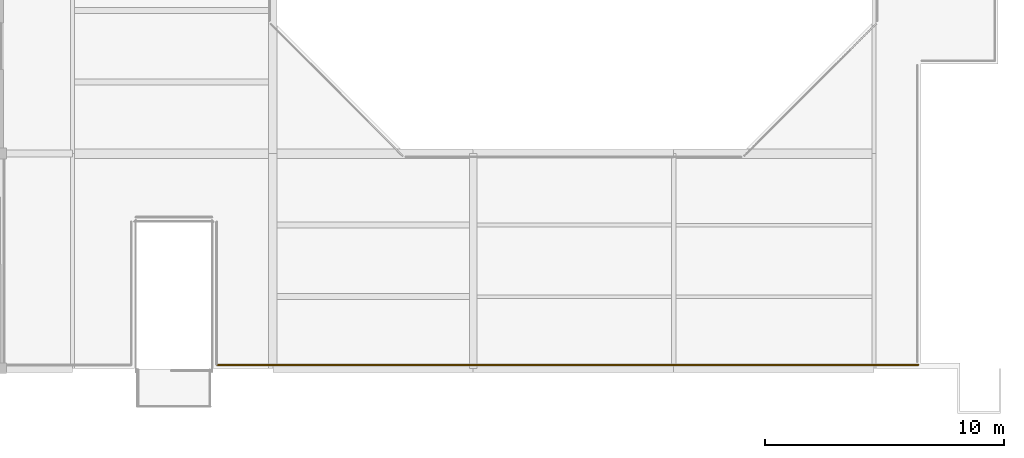
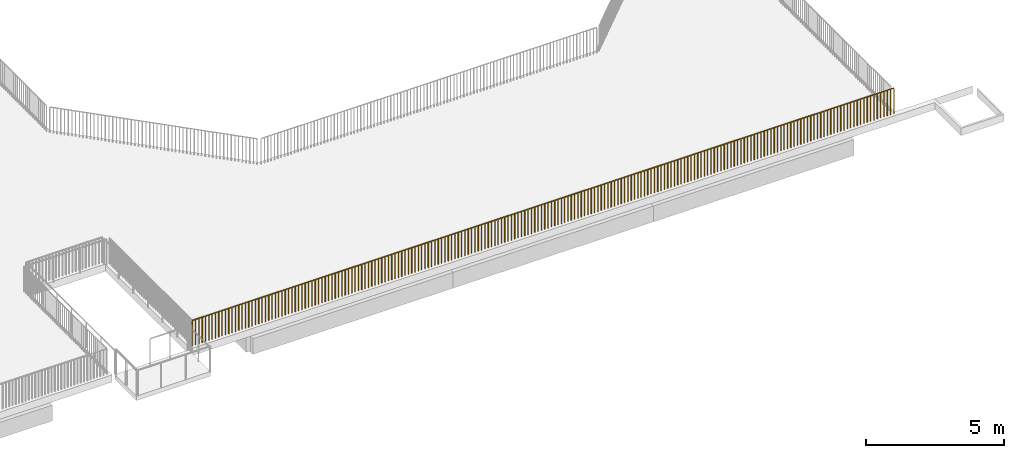
# One storey, part 31 of 42: 1 railing.
"""IFC4 building model written with IfcOpenShell, lengths in metres."""

from ifc_helpers import new_model, si_unit, direction, frame, origin, origin_2d, place, context, subcontext, project, spatial, circle, extrude, material, type_object, element, save


model = new_model("IFC4")

# Units and contexts
model_context = context("Model", 3, precision=1e-05, world=origin(), true_north=direction((0.0, 1.0)))
body_context = subcontext(model_context, "Body", "Model", "MODEL_VIEW")
ifc_project = project(units=[si_unit("LENGTHUNIT", "METRE"), si_unit("AREAUNIT", "SQUARE_METRE"), si_unit("VOLUMEUNIT", "CUBIC_METRE"), si_unit("PLANEANGLEUNIT", "RADIAN"), si_unit("MASSUNIT", "GRAM", prefix="KILO")], contexts=[model_context])

# Site, building, storey
site_placement = place(None, origin())
site = spatial("IfcSite", under=ifc_project, at=site_placement, CompositionType="ELEMENT")
building_placement = place(site_placement, origin())
building = spatial("IfcBuilding", under=site, at=building_placement, Name="Vanh Quang Courtyard School", CompositionType="ELEMENT")
storey_placement = place(building_placement, frame((0.0, 0.0, 15.0)))
storey = spatial("IfcBuildingStorey", under=building, at=storey_placement, Name="L04", CompositionType="ELEMENT", Elevation=15.0)

# Railing
ifc_material = material(Name="Galvanised painted steel EN 10025-2 S355J2", Category="steel")
railing_type = type_object("IfcRailingType", Name="RAIL-GUARD-1150", PredefinedType="BALUSTRADE", material=ifc_material)
railing_placement = place(storey_placement, frame((112.861572265625, 32.5400390625, 0.0)))
element("IfcRailing", 1, at=railing_placement, inside=storey, type_object=railing_type, Name="Railing GR-01 (L04)", PredefinedType="BALUSTRADE", context=body_context, shape_type="SweptSolid", body=[
    extrude(circle(Radius=0.02392578125, at=origin_2d()), frame((0.0, 0.0, 1.1259765625), z_axis=(-1.0, 0.0, 0.0), x_axis=(0.0, -1.0, 0.0)), (0.0, 0.0, 1.0), 29.421630859375),
    extrude(circle(Radius=0.02099609375, at=origin_2d()), origin(), (0.0, 0.0, 1.0), 1.101806640625),
    extrude(circle(Radius=0.02099609375, at=origin_2d()), frame((-0.139404296875, 0.0, 0.0)), (0.0, 0.0, 1.0), 1.101806640625),
    extrude(circle(Radius=0.02099609375, at=origin_2d()), frame((-0.27880859375, 0.0, 0.0)), (0.0, 0.0, 1.0), 1.101806640625),
    extrude(circle(Radius=0.02099609375, at=origin_2d()), frame((-0.418212890625, 0.0, 0.0)), (0.0, 0.0, 1.0), 1.101806640625),
    extrude(circle(Radius=0.02099609375, at=origin_2d()), frame((-0.557861328125, 0.0, 0.0)), (0.0, 0.0, 1.0), 1.101806640625),
    extrude(circle(Radius=0.02099609375, at=origin_2d()), frame((-0.697265625, 0.0, 0.0)), (0.0, 0.0, 1.0), 1.101806640625),
    extrude(circle(Radius=0.02099609375, at=origin_2d()), frame((-0.836669921875, 0.0, 0.0)), (0.0, 0.0, 1.0), 1.101806640625),
    extrude(circle(Radius=0.02099609375, at=origin_2d()), frame((-0.97607421875, 0.0, 0.0)), (0.0, 0.0, 1.0), 1.101806640625),
    extrude(circle(Radius=0.02099609375, at=origin_2d()), frame((-1.115478515625, 0.0, 0.0)), (0.0, 0.0, 1.0), 1.101806640625),
    extrude(circle(Radius=0.02099609375, at=origin_2d()), frame((-1.2548828125, 0.0, 0.0)), (0.0, 0.0, 1.0), 1.101806640625),
    extrude(circle(Radius=0.02099609375, at=origin_2d()), frame((-1.394287109375, 0.0, 0.0)), (0.0, 0.0, 1.0), 1.101806640625),
    extrude(circle(Radius=0.02099609375, at=origin_2d()), frame((-1.533935546875, 0.0, 0.0)), (0.0, 0.0, 1.0), 1.101806640625),
    extrude(circle(Radius=0.02099609375, at=origin_2d()), frame((-1.67333984375, 0.0, 0.0)), (0.0, 0.0, 1.0), 1.101806640625),
    extrude(circle(Radius=0.02099609375, at=origin_2d()), frame((-1.812744140625, 0.0, 0.0)), (0.0, 0.0, 1.0), 1.101806640625),
    extrude(circle(Radius=0.02099609375, at=origin_2d()), frame((-1.9521484375, 0.0, 0.0)), (0.0, 0.0, 1.0), 1.101806640625),
    extrude(circle(Radius=0.02099609375, at=origin_2d()), frame((-2.091552734375, 0.0, 0.0)), (0.0, 0.0, 1.0), 1.101806640625),
    extrude(circle(Radius=0.02099609375, at=origin_2d()), frame((-2.23095703125, 0.0, 0.0)), (0.0, 0.0, 1.0), 1.101806640625),
    extrude(circle(Radius=0.02099609375, at=origin_2d()), frame((-2.370361328125, 0.0, 0.0)), (0.0, 0.0, 1.0), 1.101806640625),
    extrude(circle(Radius=0.02099609375, at=origin_2d()), frame((-2.510009765625, 0.0, 0.0)), (0.0, 0.0, 1.0), 1.101806640625),
    extrude(circle(Radius=0.02099609375, at=origin_2d()), frame((-2.6494140625, 0.0, 0.0)), (0.0, 0.0, 1.0), 1.101806640625),
    extrude(circle(Radius=0.02099609375, at=origin_2d()), frame((-2.788818359375, 0.0, 0.0)), (0.0, 0.0, 1.0), 1.101806640625),
    extrude(circle(Radius=0.02099609375, at=origin_2d()), frame((-2.92822265625, 0.0, 0.0)), (0.0, 0.0, 1.0), 1.101806640625),
    extrude(circle(Radius=0.02099609375, at=origin_2d()), frame((-3.067626953125, 0.0, 0.0)), (0.0, 0.0, 1.0), 1.101806640625),
    extrude(circle(Radius=0.02099609375, at=origin_2d()), frame((-3.20703125, 0.0, 0.0)), (0.0, 0.0, 1.0), 1.101806640625),
    extrude(circle(Radius=0.02099609375, at=origin_2d()), frame((-3.346435546875, 0.0, 0.0)), (0.0, 0.0, 1.0), 1.101806640625),
    extrude(circle(Radius=0.02099609375, at=origin_2d()), frame((-3.486083984375, 0.0, 0.0)), (0.0, 0.0, 1.0), 1.101806640625),
    extrude(circle(Radius=0.02099609375, at=origin_2d()), frame((-3.62548828125, 0.0, 0.0)), (0.0, 0.0, 1.0), 1.101806640625),
    extrude(circle(Radius=0.02099609375, at=origin_2d()), frame((-3.764892578125, 0.0, 0.0)), (0.0, 0.0, 1.0), 1.101806640625),
    extrude(circle(Radius=0.02099609375, at=origin_2d()), frame((-3.904296875, 0.0, 0.0)), (0.0, 0.0, 1.0), 1.101806640625),
    extrude(circle(Radius=0.02099609375, at=origin_2d()), frame((-4.043701171875, 0.0, 0.0)), (0.0, 0.0, 1.0), 1.101806640625),
    extrude(circle(Radius=0.02099609375, at=origin_2d()), frame((-4.18310546875, 0.0, 0.0)), (0.0, 0.0, 1.0), 1.101806640625),
    extrude(circle(Radius=0.02099609375, at=origin_2d()), frame((-4.322509765625, 0.0, 0.0)), (0.0, 0.0, 1.0), 1.101806640625),
    extrude(circle(Radius=0.02099609375, at=origin_2d()), frame((-4.462158203125, 0.0, 0.0)), (0.0, 0.0, 1.0), 1.101806640625),
    extrude(circle(Radius=0.02099609375, at=origin_2d()), frame((-4.6015625, 0.0, 0.0)), (0.0, 0.0, 1.0), 1.101806640625),
    extrude(circle(Radius=0.02099609375, at=origin_2d()), frame((-4.740966796875, 0.0, 0.0)), (0.0, 0.0, 1.0), 1.101806640625),
    extrude(circle(Radius=0.02099609375, at=origin_2d()), frame((-4.88037109375, 0.0, 0.0)), (0.0, 0.0, 1.0), 1.101806640625),
    extrude(circle(Radius=0.02099609375, at=origin_2d()), frame((-5.019775390625, 0.0, 0.0)), (0.0, 0.0, 1.0), 1.101806640625),
    extrude(circle(Radius=0.02099609375, at=origin_2d()), frame((-5.1591796875, 0.0, 0.0)), (0.0, 0.0, 1.0), 1.101806640625),
    extrude(circle(Radius=0.02099609375, at=origin_2d()), frame((-5.298583984375, 0.0, 0.0)), (0.0, 0.0, 1.0), 1.101806640625),
    extrude(circle(Radius=0.02099609375, at=origin_2d()), frame((-5.438232421875, 0.0, 0.0)), (0.0, 0.0, 1.0), 1.101806640625),
    extrude(circle(Radius=0.02099609375, at=origin_2d()), frame((-5.57763671875, 0.0, 0.0)), (0.0, 0.0, 1.0), 1.101806640625),
    extrude(circle(Radius=0.02099609375, at=origin_2d()), frame((-5.717041015625, 0.0, 0.0)), (0.0, 0.0, 1.0), 1.101806640625),
    extrude(circle(Radius=0.02099609375, at=origin_2d()), frame((-5.8564453125, 0.0, 0.0)), (0.0, 0.0, 1.0), 1.101806640625),
    extrude(circle(Radius=0.02099609375, at=origin_2d()), frame((-5.995849609375, 0.0, 0.0)), (0.0, 0.0, 1.0), 1.101806640625),
    extrude(circle(Radius=0.02099609375, at=origin_2d()), frame((-6.13525390625, 0.0, 0.0)), (0.0, 0.0, 1.0), 1.101806640625),
    extrude(circle(Radius=0.02099609375, at=origin_2d()), frame((-6.274658203125, 0.0, 0.0)), (0.0, 0.0, 1.0), 1.101806640625),
    extrude(circle(Radius=0.02099609375, at=origin_2d()), frame((-6.414306640625, 0.0, 0.0)), (0.0, 0.0, 1.0), 1.101806640625),
    extrude(circle(Radius=0.02099609375, at=origin_2d()), frame((-6.5537109375, 0.0, 0.0)), (0.0, 0.0, 1.0), 1.101806640625),
    extrude(circle(Radius=0.02099609375, at=origin_2d()), frame((-6.693115234375, 0.0, 0.0)), (0.0, 0.0, 1.0), 1.101806640625),
    extrude(circle(Radius=0.02099609375, at=origin_2d()), frame((-6.83251953125, 0.0, 0.0)), (0.0, 0.0, 1.0), 1.101806640625),
    extrude(circle(Radius=0.02099609375, at=origin_2d()), frame((-6.971923828125, 0.0, 0.0)), (0.0, 0.0, 1.0), 1.101806640625),
    extrude(circle(Radius=0.02099609375, at=origin_2d()), frame((-7.111328125, 0.0, 0.0)), (0.0, 0.0, 1.0), 1.101806640625),
    extrude(circle(Radius=0.02099609375, at=origin_2d()), frame((-7.250732421875, 0.0, 0.0)), (0.0, 0.0, 1.0), 1.101806640625),
    extrude(circle(Radius=0.02099609375, at=origin_2d()), frame((-7.390380859375, 0.0, 0.0)), (0.0, 0.0, 1.0), 1.101806640625),
    extrude(circle(Radius=0.02099609375, at=origin_2d()), frame((-7.52978515625, 0.0, 0.0)), (0.0, 0.0, 1.0), 1.101806640625),
    extrude(circle(Radius=0.02099609375, at=origin_2d()), frame((-7.669189453125, 0.0, 0.0)), (0.0, 0.0, 1.0), 1.101806640625),
    extrude(circle(Radius=0.02099609375, at=origin_2d()), frame((-7.80859375, 0.0, 0.0)), (0.0, 0.0, 1.0), 1.101806640625),
    extrude(circle(Radius=0.02099609375, at=origin_2d()), frame((-7.947998046875, 0.0, 0.0)), (0.0, 0.0, 1.0), 1.101806640625),
    extrude(circle(Radius=0.02099609375, at=origin_2d()), frame((-8.08740234375, 0.0, 0.0)), (0.0, 0.0, 1.0), 1.101806640625),
    extrude(circle(Radius=0.02099609375, at=origin_2d()), frame((-8.226806640625, 0.0, 0.0)), (0.0, 0.0, 1.0), 1.101806640625),
    extrude(circle(Radius=0.02099609375, at=origin_2d()), frame((-8.366455078125, 0.0, 0.0)), (0.0, 0.0, 1.0), 1.101806640625),
    extrude(circle(Radius=0.02099609375, at=origin_2d()), frame((-8.505859375, 0.0, 0.0)), (0.0, 0.0, 1.0), 1.101806640625),
    extrude(circle(Radius=0.02099609375, at=origin_2d()), frame((-8.645263671875, 0.0, 0.0)), (0.0, 0.0, 1.0), 1.101806640625),
    extrude(circle(Radius=0.02099609375, at=origin_2d()), frame((-8.78466796875, 0.0, 0.0)), (0.0, 0.0, 1.0), 1.101806640625),
    extrude(circle(Radius=0.02099609375, at=origin_2d()), frame((-8.924072265625, 0.0, 0.0)), (0.0, 0.0, 1.0), 1.101806640625),
    extrude(circle(Radius=0.02099609375, at=origin_2d()), frame((-9.0634765625, 0.0, 0.0)), (0.0, 0.0, 1.0), 1.101806640625),
    extrude(circle(Radius=0.02099609375, at=origin_2d()), frame((-9.202880859375, 0.0, 0.0)), (0.0, 0.0, 1.0), 1.101806640625),
    extrude(circle(Radius=0.02099609375, at=origin_2d()), frame((-9.342529296875, 0.0, 0.0)), (0.0, 0.0, 1.0), 1.101806640625),
    extrude(circle(Radius=0.02099609375, at=origin_2d()), frame((-9.48193359375, 0.0, 0.0)), (0.0, 0.0, 1.0), 1.101806640625),
    extrude(circle(Radius=0.02099609375, at=origin_2d()), frame((-9.621337890625, 0.0, 0.0)), (0.0, 0.0, 1.0), 1.101806640625),
    extrude(circle(Radius=0.02099609375, at=origin_2d()), frame((-9.7607421875, 0.0, 0.0)), (0.0, 0.0, 1.0), 1.101806640625),
    extrude(circle(Radius=0.02099609375, at=origin_2d()), frame((-9.900146484375, 0.0, 0.0)), (0.0, 0.0, 1.0), 1.101806640625),
    extrude(circle(Radius=0.02099609375, at=origin_2d()), frame((-10.03955078125, 0.0, 0.0)), (0.0, 0.0, 1.0), 1.101806640625),
    extrude(circle(Radius=0.02099609375, at=origin_2d()), frame((-10.178955078125, 0.0, 0.0)), (0.0, 0.0, 1.0), 1.101806640625),
    extrude(circle(Radius=0.02099609375, at=origin_2d()), frame((-10.318603515625, 0.0, 0.0)), (0.0, 0.0, 1.0), 1.101806640625),
    extrude(circle(Radius=0.02099609375, at=origin_2d()), frame((-10.4580078125, 0.0, 0.0)), (0.0, 0.0, 1.0), 1.101806640625),
    extrude(circle(Radius=0.02099609375, at=origin_2d()), frame((-10.597412109375, 0.0, 0.0)), (0.0, 0.0, 1.0), 1.101806640625),
    extrude(circle(Radius=0.02099609375, at=origin_2d()), frame((-10.73681640625, 0.0, 0.0)), (0.0, 0.0, 1.0), 1.101806640625),
    extrude(circle(Radius=0.02099609375, at=origin_2d()), frame((-10.876220703125, 0.0, 0.0)), (0.0, 0.0, 1.0), 1.101806640625),
    extrude(circle(Radius=0.02099609375, at=origin_2d()), frame((-11.015625, 0.0, 0.0)), (0.0, 0.0, 1.0), 1.101806640625),
    extrude(circle(Radius=0.02099609375, at=origin_2d()), frame((-11.155029296875, 0.0, 0.0)), (0.0, 0.0, 1.0), 1.101806640625),
    extrude(circle(Radius=0.02099609375, at=origin_2d()), frame((-11.294677734375, 0.0, 0.0)), (0.0, 0.0, 1.0), 1.101806640625),
    extrude(circle(Radius=0.02099609375, at=origin_2d()), frame((-11.43408203125, 0.0, 0.0)), (0.0, 0.0, 1.0), 1.101806640625),
    extrude(circle(Radius=0.02099609375, at=origin_2d()), frame((-11.573486328125, 0.0, 0.0)), (0.0, 0.0, 1.0), 1.101806640625),
    extrude(circle(Radius=0.02099609375, at=origin_2d()), frame((-11.712890625, 0.0, 0.0)), (0.0, 0.0, 1.0), 1.101806640625),
    extrude(circle(Radius=0.02099609375, at=origin_2d()), frame((-11.852294921875, 0.0, 0.0)), (0.0, 0.0, 1.0), 1.101806640625),
    extrude(circle(Radius=0.02099609375, at=origin_2d()), frame((-11.99169921875, 0.0, 0.0)), (0.0, 0.0, 1.0), 1.101806640625),
    extrude(circle(Radius=0.02099609375, at=origin_2d()), frame((-12.131103515625, 0.0, 0.0)), (0.0, 0.0, 1.0), 1.101806640625),
    extrude(circle(Radius=0.02099609375, at=origin_2d()), frame((-12.270751953125, 0.0, 0.0)), (0.0, 0.0, 1.0), 1.101806640625),
    extrude(circle(Radius=0.02099609375, at=origin_2d()), frame((-12.41015625, 0.0, 0.0)), (0.0, 0.0, 1.0), 1.101806640625),
    extrude(circle(Radius=0.02099609375, at=origin_2d()), frame((-12.549560546875, 0.0, 0.0)), (0.0, 0.0, 1.0), 1.101806640625),
    extrude(circle(Radius=0.02099609375, at=origin_2d()), frame((-12.68896484375, 0.0, 0.0)), (0.0, 0.0, 1.0), 1.101806640625),
    extrude(circle(Radius=0.02099609375, at=origin_2d()), frame((-12.828369140625, 0.0, 0.0)), (0.0, 0.0, 1.0), 1.101806640625),
    extrude(circle(Radius=0.02099609375, at=origin_2d()), frame((-12.9677734375, 0.0, 0.0)), (0.0, 0.0, 1.0), 1.101806640625),
    extrude(circle(Radius=0.02099609375, at=origin_2d()), frame((-13.107177734375, 0.0, 0.0)), (0.0, 0.0, 1.0), 1.101806640625),
    extrude(circle(Radius=0.02099609375, at=origin_2d()), frame((-13.246826171875, 0.0, 0.0)), (0.0, 0.0, 1.0), 1.101806640625),
    extrude(circle(Radius=0.02099609375, at=origin_2d()), frame((-13.38623046875, 0.0, 0.0)), (0.0, 0.0, 1.0), 1.101806640625),
    extrude(circle(Radius=0.02099609375, at=origin_2d()), frame((-13.525634765625, 0.0, 0.0)), (0.0, 0.0, 1.0), 1.101806640625),
    extrude(circle(Radius=0.02099609375, at=origin_2d()), frame((-13.6650390625, 0.0, 0.0)), (0.0, 0.0, 1.0), 1.101806640625),
    extrude(circle(Radius=0.02099609375, at=origin_2d()), frame((-13.804443359375, 0.0, 0.0)), (0.0, 0.0, 1.0), 1.101806640625),
    extrude(circle(Radius=0.02099609375, at=origin_2d()), frame((-13.94384765625, 0.0, 0.0)), (0.0, 0.0, 1.0), 1.101806640625),
    extrude(circle(Radius=0.02099609375, at=origin_2d()), frame((-14.083251953125, 0.0, 0.0)), (0.0, 0.0, 1.0), 1.101806640625),
    extrude(circle(Radius=0.02099609375, at=origin_2d()), frame((-14.222900390625, 0.0, 0.0)), (0.0, 0.0, 1.0), 1.101806640625),
    extrude(circle(Radius=0.02099609375, at=origin_2d()), frame((-14.3623046875, 0.0, 0.0)), (0.0, 0.0, 1.0), 1.101806640625),
    extrude(circle(Radius=0.02099609375, at=origin_2d()), frame((-14.501708984375, 0.0, 0.0)), (0.0, 0.0, 1.0), 1.101806640625),
    extrude(circle(Radius=0.02099609375, at=origin_2d()), frame((-14.64111328125, 0.0, 0.0)), (0.0, 0.0, 1.0), 1.101806640625),
    extrude(circle(Radius=0.02099609375, at=origin_2d()), frame((-14.780517578125, 0.0, 0.0)), (0.0, 0.0, 1.0), 1.101806640625),
    extrude(circle(Radius=0.02099609375, at=origin_2d()), frame((-14.919921875, 0.0, 0.0)), (0.0, 0.0, 1.0), 1.101806640625),
    extrude(circle(Radius=0.02099609375, at=origin_2d()), frame((-15.059326171875, 0.0, 0.0)), (0.0, 0.0, 1.0), 1.101806640625),
    extrude(circle(Radius=0.02099609375, at=origin_2d()), frame((-15.19873046875, 0.0, 0.0)), (0.0, 0.0, 1.0), 1.101806640625),
    extrude(circle(Radius=0.02099609375, at=origin_2d()), frame((-15.33837890625, 0.0, 0.0)), (0.0, 0.0, 1.0), 1.101806640625),
    extrude(circle(Radius=0.02099609375, at=origin_2d()), frame((-15.477783203125, 0.0, 0.0)), (0.0, 0.0, 1.0), 1.101806640625),
    extrude(circle(Radius=0.02099609375, at=origin_2d()), frame((-15.6171875, 0.0, 0.0)), (0.0, 0.0, 1.0), 1.101806640625),
    extrude(circle(Radius=0.02099609375, at=origin_2d()), frame((-15.756591796875, 0.0, 0.0)), (0.0, 0.0, 1.0), 1.101806640625),
    extrude(circle(Radius=0.02099609375, at=origin_2d()), frame((-15.89599609375, 0.0, 0.0)), (0.0, 0.0, 1.0), 1.101806640625),
    extrude(circle(Radius=0.02099609375, at=origin_2d()), frame((-16.035400390625, 0.0, 0.0)), (0.0, 0.0, 1.0), 1.101806640625),
    extrude(circle(Radius=0.02099609375, at=origin_2d()), frame((-16.1748046875, 0.0, 0.0)), (0.0, 0.0, 1.0), 1.101806640625),
    extrude(circle(Radius=0.02099609375, at=origin_2d()), frame((-16.314453125, 0.0, 0.0)), (0.0, 0.0, 1.0), 1.101806640625),
    extrude(circle(Radius=0.02099609375, at=origin_2d()), frame((-16.453857421875, 0.0, 0.0)), (0.0, 0.0, 1.0), 1.101806640625),
    extrude(circle(Radius=0.02099609375, at=origin_2d()), frame((-16.59326171875, 0.0, 0.0)), (0.0, 0.0, 1.0), 1.101806640625),
    extrude(circle(Radius=0.02099609375, at=origin_2d()), frame((-16.732666015625, 0.0, 0.0)), (0.0, 0.0, 1.0), 1.101806640625),
    extrude(circle(Radius=0.02099609375, at=origin_2d()), frame((-16.8720703125, 0.0, 0.0)), (0.0, 0.0, 1.0), 1.101806640625),
    extrude(circle(Radius=0.02099609375, at=origin_2d()), frame((-17.011474609375, 0.0, 0.0)), (0.0, 0.0, 1.0), 1.101806640625),
    extrude(circle(Radius=0.02099609375, at=origin_2d()), frame((-17.15087890625, 0.0, 0.0)), (0.0, 0.0, 1.0), 1.101806640625),
    extrude(circle(Radius=0.02099609375, at=origin_2d()), frame((-17.29052734375, 0.0, 0.0)), (0.0, 0.0, 1.0), 1.101806640625),
    extrude(circle(Radius=0.02099609375, at=origin_2d()), frame((-17.429931640625, 0.0, 0.0)), (0.0, 0.0, 1.0), 1.101806640625),
    extrude(circle(Radius=0.02099609375, at=origin_2d()), frame((-17.5693359375, 0.0, 0.0)), (0.0, 0.0, 1.0), 1.101806640625),
    extrude(circle(Radius=0.02099609375, at=origin_2d()), frame((-17.708740234375, 0.0, 0.0)), (0.0, 0.0, 1.0), 1.101806640625),
    extrude(circle(Radius=0.02099609375, at=origin_2d()), frame((-17.84814453125, 0.0, 0.0)), (0.0, 0.0, 1.0), 1.101806640625),
    extrude(circle(Radius=0.02099609375, at=origin_2d()), frame((-17.987548828125, 0.0, 0.0)), (0.0, 0.0, 1.0), 1.101806640625),
    extrude(circle(Radius=0.02099609375, at=origin_2d()), frame((-18.126953125, 0.0, 0.0)), (0.0, 0.0, 1.0), 1.101806640625),
    extrude(circle(Radius=0.02099609375, at=origin_2d()), frame((-18.2666015625, 0.0, 0.0)), (0.0, 0.0, 1.0), 1.101806640625),
    extrude(circle(Radius=0.02099609375, at=origin_2d()), frame((-18.406005859375, 0.0, 0.0)), (0.0, 0.0, 1.0), 1.101806640625),
    extrude(circle(Radius=0.02099609375, at=origin_2d()), frame((-18.54541015625, 0.0, 0.0)), (0.0, 0.0, 1.0), 1.101806640625),
    extrude(circle(Radius=0.02099609375, at=origin_2d()), frame((-18.684814453125, 0.0, 0.0)), (0.0, 0.0, 1.0), 1.101806640625),
    extrude(circle(Radius=0.02099609375, at=origin_2d()), frame((-18.82421875, 0.0, 0.0)), (0.0, 0.0, 1.0), 1.101806640625),
    extrude(circle(Radius=0.02099609375, at=origin_2d()), frame((-18.963623046875, 0.0, 0.0)), (0.0, 0.0, 1.0), 1.101806640625),
    extrude(circle(Radius=0.02099609375, at=origin_2d()), frame((-19.10302734375, 0.0, 0.0)), (0.0, 0.0, 1.0), 1.101806640625),
    extrude(circle(Radius=0.02099609375, at=origin_2d()), frame((-19.24267578125, 0.0, 0.0)), (0.0, 0.0, 1.0), 1.101806640625),
    extrude(circle(Radius=0.02099609375, at=origin_2d()), frame((-19.382080078125, 0.0, 0.0)), (0.0, 0.0, 1.0), 1.101806640625),
    extrude(circle(Radius=0.02099609375, at=origin_2d()), frame((-19.521484375, 0.0, 0.0)), (0.0, 0.0, 1.0), 1.101806640625),
    extrude(circle(Radius=0.02099609375, at=origin_2d()), frame((-19.660888671875, 0.0, 0.0)), (0.0, 0.0, 1.0), 1.101806640625),
    extrude(circle(Radius=0.02099609375, at=origin_2d()), frame((-19.80029296875, 0.0, 0.0)), (0.0, 0.0, 1.0), 1.101806640625),
    extrude(circle(Radius=0.02099609375, at=origin_2d()), frame((-19.939697265625, 0.0, 0.0)), (0.0, 0.0, 1.0), 1.101806640625),
    extrude(circle(Radius=0.02099609375, at=origin_2d()), frame((-20.0791015625, 0.0, 0.0)), (0.0, 0.0, 1.0), 1.101806640625),
    extrude(circle(Radius=0.02099609375, at=origin_2d()), frame((-20.21875, 0.0, 0.0)), (0.0, 0.0, 1.0), 1.101806640625),
    extrude(circle(Radius=0.02099609375, at=origin_2d()), frame((-20.358154296875, 0.0, 0.0)), (0.0, 0.0, 1.0), 1.101806640625),
    extrude(circle(Radius=0.02099609375, at=origin_2d()), frame((-20.49755859375, 0.0, 0.0)), (0.0, 0.0, 1.0), 1.101806640625),
    extrude(circle(Radius=0.02099609375, at=origin_2d()), frame((-20.636962890625, 0.0, 0.0)), (0.0, 0.0, 1.0), 1.101806640625),
    extrude(circle(Radius=0.02099609375, at=origin_2d()), frame((-20.7763671875, 0.0, 0.0)), (0.0, 0.0, 1.0), 1.101806640625),
    extrude(circle(Radius=0.02099609375, at=origin_2d()), frame((-20.915771484375, 0.0, 0.0)), (0.0, 0.0, 1.0), 1.101806640625),
    extrude(circle(Radius=0.02099609375, at=origin_2d()), frame((-21.05517578125, 0.0, 0.0)), (0.0, 0.0, 1.0), 1.101806640625),
    extrude(circle(Radius=0.02099609375, at=origin_2d()), frame((-21.19482421875, 0.0, 0.0)), (0.0, 0.0, 1.0), 1.101806640625),
    extrude(circle(Radius=0.02099609375, at=origin_2d()), frame((-21.334228515625, 0.0, 0.0)), (0.0, 0.0, 1.0), 1.101806640625),
    extrude(circle(Radius=0.02099609375, at=origin_2d()), frame((-21.4736328125, 0.0, 0.0)), (0.0, 0.0, 1.0), 1.101806640625),
    extrude(circle(Radius=0.02099609375, at=origin_2d()), frame((-21.613037109375, 0.0, 0.0)), (0.0, 0.0, 1.0), 1.101806640625),
    extrude(circle(Radius=0.02099609375, at=origin_2d()), frame((-21.75244140625, 0.0, 0.0)), (0.0, 0.0, 1.0), 1.101806640625),
    extrude(circle(Radius=0.02099609375, at=origin_2d()), frame((-21.891845703125, 0.0, 0.0)), (0.0, 0.0, 1.0), 1.101806640625),
    extrude(circle(Radius=0.02099609375, at=origin_2d()), frame((-22.03125, 0.0, 0.0)), (0.0, 0.0, 1.0), 1.101806640625),
    extrude(circle(Radius=0.02099609375, at=origin_2d()), frame((-22.1708984375, 0.0, 0.0)), (0.0, 0.0, 1.0), 1.101806640625),
    extrude(circle(Radius=0.02099609375, at=origin_2d()), frame((-22.310302734375, 0.0, 0.0)), (0.0, 0.0, 1.0), 1.101806640625),
    extrude(circle(Radius=0.02099609375, at=origin_2d()), frame((-22.44970703125, 0.0, 0.0)), (0.0, 0.0, 1.0), 1.101806640625),
    extrude(circle(Radius=0.02099609375, at=origin_2d()), frame((-22.589111328125, 0.0, 0.0)), (0.0, 0.0, 1.0), 1.101806640625),
    extrude(circle(Radius=0.02099609375, at=origin_2d()), frame((-22.728515625, 0.0, 0.0)), (0.0, 0.0, 1.0), 1.101806640625),
    extrude(circle(Radius=0.02099609375, at=origin_2d()), frame((-22.867919921875, 0.0, 0.0)), (0.0, 0.0, 1.0), 1.101806640625),
    extrude(circle(Radius=0.02099609375, at=origin_2d()), frame((-23.00732421875, 0.0, 0.0)), (0.0, 0.0, 1.0), 1.101806640625),
    extrude(circle(Radius=0.02099609375, at=origin_2d()), frame((-23.14697265625, 0.0, 0.0)), (0.0, 0.0, 1.0), 1.101806640625),
    extrude(circle(Radius=0.02099609375, at=origin_2d()), frame((-23.286376953125, 0.0, 0.0)), (0.0, 0.0, 1.0), 1.101806640625),
    extrude(circle(Radius=0.02099609375, at=origin_2d()), frame((-23.42578125, 0.0, 0.0)), (0.0, 0.0, 1.0), 1.101806640625),
    extrude(circle(Radius=0.02099609375, at=origin_2d()), frame((-23.565185546875, 0.0, 0.0)), (0.0, 0.0, 1.0), 1.101806640625),
    extrude(circle(Radius=0.02099609375, at=origin_2d()), frame((-23.70458984375, 0.0, 0.0)), (0.0, 0.0, 1.0), 1.101806640625),
    extrude(circle(Radius=0.02099609375, at=origin_2d()), frame((-23.843994140625, 0.0, 0.0)), (0.0, 0.0, 1.0), 1.101806640625),
    extrude(circle(Radius=0.02099609375, at=origin_2d()), frame((-23.9833984375, 0.0, 0.0)), (0.0, 0.0, 1.0), 1.101806640625),
    extrude(circle(Radius=0.02099609375, at=origin_2d()), frame((-24.123046875, 0.0, 0.0)), (0.0, 0.0, 1.0), 1.101806640625),
    extrude(circle(Radius=0.02099609375, at=origin_2d()), frame((-24.262451171875, 0.0, 0.0)), (0.0, 0.0, 1.0), 1.101806640625),
    extrude(circle(Radius=0.02099609375, at=origin_2d()), frame((-24.40185546875, 0.0, 0.0)), (0.0, 0.0, 1.0), 1.101806640625),
    extrude(circle(Radius=0.02099609375, at=origin_2d()), frame((-24.541259765625, 0.0, 0.0)), (0.0, 0.0, 1.0), 1.101806640625),
    extrude(circle(Radius=0.02099609375, at=origin_2d()), frame((-24.6806640625, 0.0, 0.0)), (0.0, 0.0, 1.0), 1.101806640625),
    extrude(circle(Radius=0.02099609375, at=origin_2d()), frame((-24.820068359375, 0.0, 0.0)), (0.0, 0.0, 1.0), 1.101806640625),
    extrude(circle(Radius=0.02099609375, at=origin_2d()), frame((-24.95947265625, 0.0, 0.0)), (0.0, 0.0, 1.0), 1.101806640625),
    extrude(circle(Radius=0.02099609375, at=origin_2d()), frame((-25.09912109375, 0.0, 0.0)), (0.0, 0.0, 1.0), 1.101806640625),
    extrude(circle(Radius=0.02099609375, at=origin_2d()), frame((-25.238525390625, 0.0, 0.0)), (0.0, 0.0, 1.0), 1.101806640625),
    extrude(circle(Radius=0.02099609375, at=origin_2d()), frame((-25.3779296875, 0.0, 0.0)), (0.0, 0.0, 1.0), 1.101806640625),
    extrude(circle(Radius=0.02099609375, at=origin_2d()), frame((-25.517333984375, 0.0, 0.0)), (0.0, 0.0, 1.0), 1.101806640625),
    extrude(circle(Radius=0.02099609375, at=origin_2d()), frame((-25.65673828125, 0.0, 0.0)), (0.0, 0.0, 1.0), 1.101806640625),
    extrude(circle(Radius=0.02099609375, at=origin_2d()), frame((-25.796142578125, 0.0, 0.0)), (0.0, 0.0, 1.0), 1.101806640625),
    extrude(circle(Radius=0.02099609375, at=origin_2d()), frame((-25.935546875, 0.0, 0.0)), (0.0, 0.0, 1.0), 1.101806640625),
    extrude(circle(Radius=0.02099609375, at=origin_2d()), frame((-26.0751953125, 0.0, 0.0)), (0.0, 0.0, 1.0), 1.101806640625),
    extrude(circle(Radius=0.02099609375, at=origin_2d()), frame((-26.214599609375, 0.0, 0.0)), (0.0, 0.0, 1.0), 1.101806640625),
    extrude(circle(Radius=0.02099609375, at=origin_2d()), frame((-26.35400390625, 0.0, 0.0)), (0.0, 0.0, 1.0), 1.101806640625),
    extrude(circle(Radius=0.02099609375, at=origin_2d()), frame((-26.493408203125, 0.0, 0.0)), (0.0, 0.0, 1.0), 1.101806640625),
    extrude(circle(Radius=0.02099609375, at=origin_2d()), frame((-26.6328125, 0.0, 0.0)), (0.0, 0.0, 1.0), 1.101806640625),
    extrude(circle(Radius=0.02099609375, at=origin_2d()), frame((-26.772216796875, 0.0, 0.0)), (0.0, 0.0, 1.0), 1.101806640625),
    extrude(circle(Radius=0.02099609375, at=origin_2d()), frame((-26.91162109375, 0.0, 0.0)), (0.0, 0.0, 1.0), 1.101806640625),
    extrude(circle(Radius=0.02099609375, at=origin_2d()), frame((-27.05126953125, 0.0, 0.0)), (0.0, 0.0, 1.0), 1.101806640625),
    extrude(circle(Radius=0.02099609375, at=origin_2d()), frame((-27.190673828125, 0.0, 0.0)), (0.0, 0.0, 1.0), 1.101806640625),
    extrude(circle(Radius=0.02099609375, at=origin_2d()), frame((-27.330078125, 0.0, 0.0)), (0.0, 0.0, 1.0), 1.101806640625),
    extrude(circle(Radius=0.02099609375, at=origin_2d()), frame((-27.469482421875, 0.0, 0.0)), (0.0, 0.0, 1.0), 1.101806640625),
    extrude(circle(Radius=0.02099609375, at=origin_2d()), frame((-27.60888671875, 0.0, 0.0)), (0.0, 0.0, 1.0), 1.101806640625),
    extrude(circle(Radius=0.02099609375, at=origin_2d()), frame((-27.748291015625, 0.0, 0.0)), (0.0, 0.0, 1.0), 1.101806640625),
    extrude(circle(Radius=0.02099609375, at=origin_2d()), frame((-27.8876953125, 0.0, 0.0)), (0.0, 0.0, 1.0), 1.101806640625),
    extrude(circle(Radius=0.02099609375, at=origin_2d()), frame((-28.02734375, 0.0, 0.0)), (0.0, 0.0, 1.0), 1.101806640625),
    extrude(circle(Radius=0.02099609375, at=origin_2d()), frame((-28.166748046875, 0.0, 0.0)), (0.0, 0.0, 1.0), 1.101806640625),
    extrude(circle(Radius=0.02099609375, at=origin_2d()), frame((-28.30615234375, 0.0, 0.0)), (0.0, 0.0, 1.0), 1.101806640625),
    extrude(circle(Radius=0.02099609375, at=origin_2d()), frame((-28.445556640625, 0.0, 0.0)), (0.0, 0.0, 1.0), 1.101806640625),
    extrude(circle(Radius=0.02099609375, at=origin_2d()), frame((-28.5849609375, 0.0, 0.0)), (0.0, 0.0, 1.0), 1.101806640625),
    extrude(circle(Radius=0.02099609375, at=origin_2d()), frame((-28.724365234375, 0.0, 0.0)), (0.0, 0.0, 1.0), 1.101806640625),
    extrude(circle(Radius=0.02099609375, at=origin_2d()), frame((-28.86376953125, 0.0, 0.0)), (0.0, 0.0, 1.0), 1.101806640625),
    extrude(circle(Radius=0.02099609375, at=origin_2d()), frame((-29.00341796875, 0.0, 0.0)), (0.0, 0.0, 1.0), 1.101806640625),
    extrude(circle(Radius=0.02099609375, at=origin_2d()), frame((-29.142822265625, 0.0, 0.0)), (0.0, 0.0, 1.0), 1.101806640625),
    extrude(circle(Radius=0.02099609375, at=origin_2d()), frame((-29.2822265625, 0.0, 0.0)), (0.0, 0.0, 1.0), 1.101806640625),
    extrude(circle(Radius=0.02099609375, at=origin_2d()), frame((-29.421630859375, 0.0, 0.0)), (0.0, 0.0, 1.0), 1.101806640625),
])

save(model, "model.ifc")
